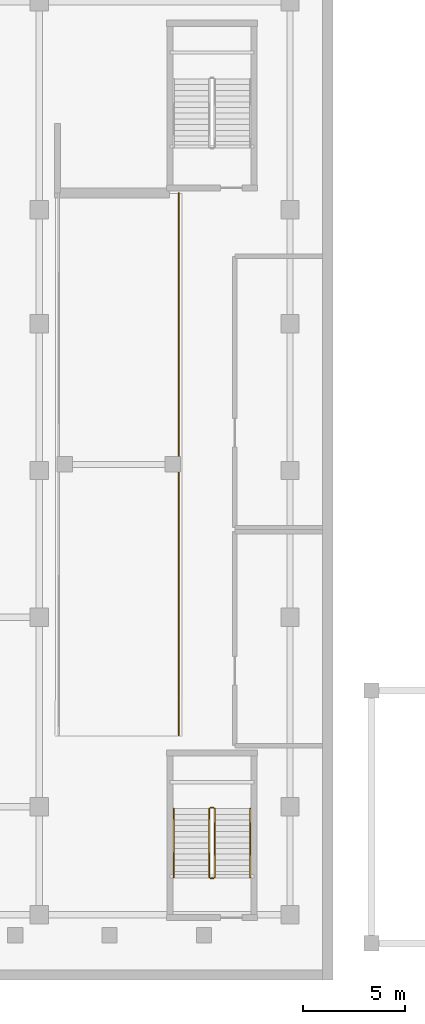
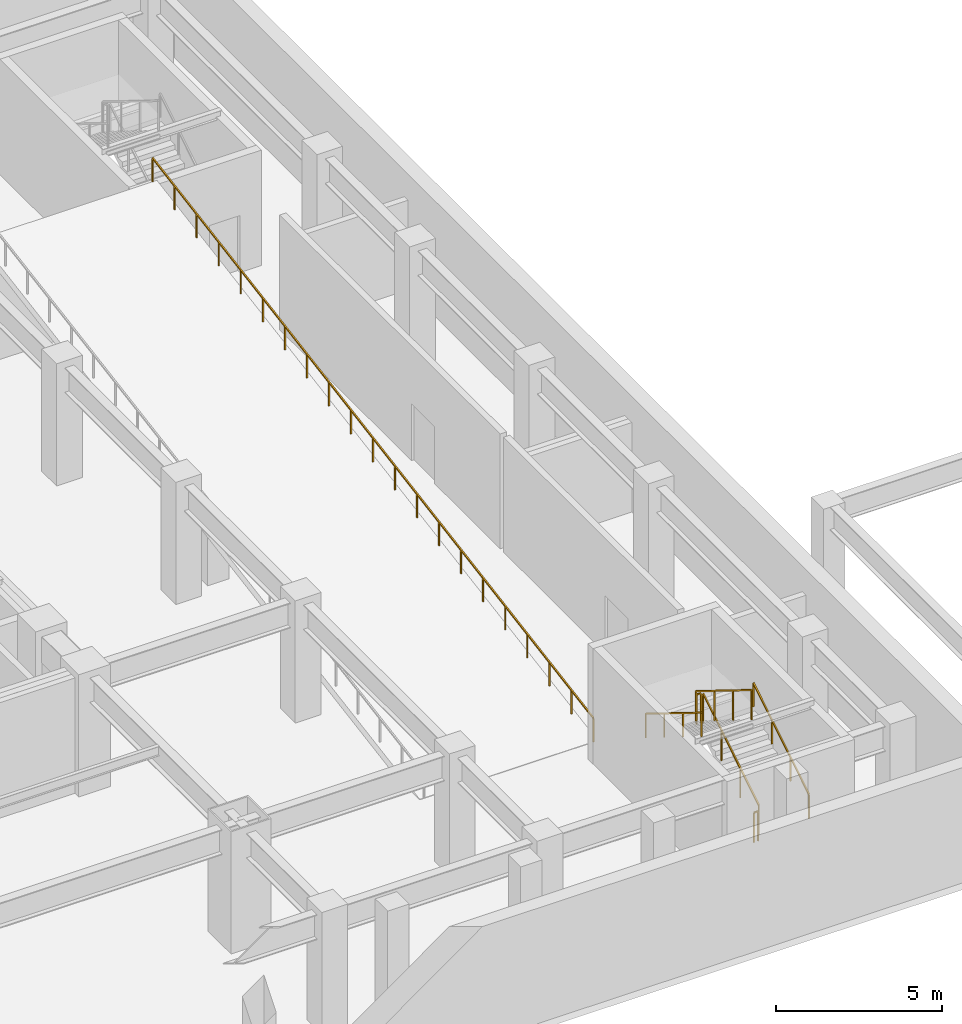
# One storey, part 11 of 12: 7 railings.
"""IFC4 building model written with IfcOpenShell, lengths in metres."""

from ifc_helpers import new_model, si_unit, direction, frame, origin, origin_2d, place, context, subcontext, project, spatial, rectangle, extrude, material, type_object, element, save


model = new_model("IFC4")

# Units and contexts
model_context = context("Model", 3, precision=1e-05, world=origin(), true_north=direction((0.0, 1.0)))
body_context = subcontext(model_context, "Body", "Model", "MODEL_VIEW")
ifc_project = project(units=[si_unit("LENGTHUNIT", "METRE"), si_unit("AREAUNIT", "SQUARE_METRE"), si_unit("VOLUMEUNIT", "CUBIC_METRE"), si_unit("PLANEANGLEUNIT", "RADIAN"), si_unit("MASSUNIT", "GRAM", prefix="KILO")], contexts=[model_context])

# Site, building, storey
site_placement = place(None, origin())
site = spatial("IfcSite", under=ifc_project, at=site_placement, CompositionType="ELEMENT")
building_placement = place(site_placement, origin())
building = spatial("IfcBuilding", under=site, at=building_placement, Name="Vantalir Tower", CompositionType="ELEMENT")
storey_placement = place(building_placement, frame((0.0, 0.0, -4.5)))
storey = spatial("IfcBuildingStorey", under=building, at=storey_placement, Name="B01", CompositionType="ELEMENT", Elevation=-4.5)

# Railings
ifc_material_1 = material(Name="Anodised aluminium and stainless steel guard", Category="steel")
railing_type_1 = type_object("IfcRailingType", Name="RAL-GUARD-1120", PredefinedType="GUARDRAIL", material=ifc_material_1)
railing_1_placement = place(storey_placement, frame((57.199951171875, 5.050048828125, 0.173095703125)))
element("IfcRailing", 1, at=railing_1_placement, inside=storey, type_object=railing_type_1, Name="B01 PST4 stair guard 1", PredefinedType="GUARDRAIL", context=body_context, shape_type="SweptSolid", body=[
    extrude(rectangle(XDim=0.048095703125, YDim=0.048095703125, at=origin_2d()), frame((0.0, 0.0, 1.09619140625), z_axis=(0.0, 0.850606129759, 0.525803396734), x_axis=(-1.0, 0.0, 0.0)), (0.0, 0.0, 1.0), 3.949951171875),
    extrude(rectangle(XDim=0.0419921875, YDim=0.0419921875, at=origin_2d()), origin(), (0.0, 0.0, 1.0), 1.072021484375),
    extrude(rectangle(XDim=0.0419921875, YDim=0.0419921875, at=origin_2d()), frame((0.0, 1.119873046875, 0.6923828125)), (0.0, 0.0, 1.0), 1.072021484375),
    extrude(rectangle(XDim=0.0419921875, YDim=0.0419921875, at=origin_2d()), frame((0.0, 2.239990234375, 1.384521484375)), (0.0, 0.0, 1.0), 1.072021484375),
    extrude(rectangle(XDim=0.0419921875, YDim=0.0419921875, at=origin_2d()), frame((0.0, 3.35986328125, 2.076904296875)), (0.0, 0.0, 1.0), 1.072021484375),
])
railing_2_placement = place(storey_placement, frame((57.14990234375, 8.4599609375, 2.25)))
element("IfcRailing", 2, at=railing_2_placement, inside=storey, type_object=railing_type_1, Name="B01 PST4 stair guard 2", PredefinedType="GUARDRAIL", context=body_context, shape_type="SweptSolid", body=[
    extrude(rectangle(XDim=0.048095703125, YDim=0.048095703125, at=origin_2d()), frame((0.0, 0.0, 1.09619140625), z_axis=(-1.0, 0.0, 0.0), x_axis=(0.0, -1.0, 0.0)), (0.0, 0.0, 1.0), 0.14990234375),
    extrude(rectangle(XDim=0.0419921875, YDim=0.0419921875, at=origin_2d()), origin(), (0.0, 0.0, 1.0), 1.072021484375),
    extrude(rectangle(XDim=0.0419921875, YDim=0.0419921875, at=origin_2d()), frame((-0.14990234375, 0.0, 0.0)), (0.0, 0.0, 1.0), 1.072021484375),
])
railing_3_placement = place(storey_placement, frame((56.949951171875, 8.409912109375, 2.423095703125)))
element("IfcRailing", 3, at=railing_3_placement, inside=storey, type_object=railing_type_1, Name="B01 PST4 stair guard 3", PredefinedType="GUARDRAIL", context=body_context, shape_type="SweptSolid", body=[
    extrude(rectangle(XDim=0.048095703125, YDim=0.048095703125, at=origin_2d()), frame((0.0, 0.0, 1.09619140625), z_axis=(0.0, -0.850606129759, 0.525803396734), x_axis=(1.0, 0.0, 0.0)), (0.0, 0.0, 1.0), 3.949951171875),
    extrude(rectangle(XDim=0.0419921875, YDim=0.0419921875, at=origin_2d()), origin(), (0.0, 0.0, 1.0), 1.072021484375),
    extrude(rectangle(XDim=0.0419921875, YDim=0.0419921875, at=origin_2d()), frame((0.0, -1.119873046875, 0.6923828125)), (0.0, 0.0, 1.0), 1.072021484375),
    extrude(rectangle(XDim=0.0419921875, YDim=0.0419921875, at=origin_2d()), frame((0.0, -2.239990234375, 1.384521484375)), (0.0, 0.0, 1.0), 1.072021484375),
    extrude(rectangle(XDim=0.0419921875, YDim=0.0419921875, at=origin_2d()), frame((0.0, -3.35986328125, 2.076904296875)), (0.0, 0.0, 1.0), 1.072021484375),
])
railing_4_placement = place(storey_placement, frame((57.14990234375, 5.0, 0.0)))
element("IfcRailing", 4, at=railing_4_placement, inside=storey, type_object=railing_type_1, Name="B01 PST4 stair guard 4", PredefinedType="GUARDRAIL", context=body_context, shape_type="SweptSolid", body=[
    extrude(rectangle(XDim=0.048095703125, YDim=0.048095703125, at=origin_2d()), frame((0.0, 0.0, 1.09619140625), z_axis=(-1.0, 0.0, 0.0), x_axis=(0.0, -1.0, 0.0)), (0.0, 0.0, 1.0), 0.14990234375),
    extrude(rectangle(XDim=0.0419921875, YDim=0.0419921875, at=origin_2d()), origin(), (0.0, 0.0, 1.0), 1.072021484375),
    extrude(rectangle(XDim=0.0419921875, YDim=0.0419921875, at=origin_2d()), frame((-0.14990234375, 0.0, 0.0)), (0.0, 0.0, 1.0), 1.072021484375),
])
ifc_material_2 = material(Name="Brushed stainless steel tubular handrail", Category="steel")
railing_type_2 = type_object("IfcRailingType", Name="RAL-HANDRAIL-900", PredefinedType="HANDRAIL", material=ifc_material_2)
railing_5_placement = place(storey_placement, frame((58.949951171875, 5.050048828125, 0.173095703125)))
element("IfcRailing", 5, at=railing_5_placement, inside=storey, type_object=railing_type_2, Name="B01 PST4 stair handrail 1", PredefinedType="HANDRAIL", context=body_context, shape_type="SweptSolid", body=[
    extrude(rectangle(XDim=0.048095703125, YDim=0.048095703125, at=origin_2d()), frame((0.0, 0.0, 0.8759765625), z_axis=(0.0, 0.850606129759, 0.525803396734), x_axis=(-1.0, 0.0, 0.0)), (0.0, 0.0, 1.0), 3.949951171875),
    extrude(rectangle(XDim=0.0419921875, YDim=0.0419921875, at=origin_2d()), origin(), (0.0, 0.0, 1.0), 0.851806640625),
    extrude(rectangle(XDim=0.0419921875, YDim=0.0419921875, at=origin_2d()), frame((0.0, 1.119873046875, 0.6923828125)), (0.0, 0.0, 1.0), 0.851806640625),
    extrude(rectangle(XDim=0.0419921875, YDim=0.0419921875, at=origin_2d()), frame((0.0, 2.239990234375, 1.384521484375)), (0.0, 0.0, 1.0), 0.851806640625),
    extrude(rectangle(XDim=0.0419921875, YDim=0.0419921875, at=origin_2d()), frame((0.0, 3.35986328125, 2.076904296875)), (0.0, 0.0, 1.0), 0.851806640625),
])
railing_6_placement = place(storey_placement, frame((55.199951171875, 8.409912109375, 2.423095703125)))
element("IfcRailing", 6, at=railing_6_placement, inside=storey, type_object=railing_type_2, Name="B01 PST4 stair handrail 2", PredefinedType="HANDRAIL", context=body_context, shape_type="SweptSolid", body=[
    extrude(rectangle(XDim=0.048095703125, YDim=0.048095703125, at=origin_2d()), frame((0.0, 0.0, 0.8759765625), z_axis=(0.0, -0.850606129759, 0.525803396734), x_axis=(1.0, 0.0, 0.0)), (0.0, 0.0, 1.0), 3.949951171875),
    extrude(rectangle(XDim=0.0419921875, YDim=0.0419921875, at=origin_2d()), origin(), (0.0, 0.0, 1.0), 0.851806640625),
    extrude(rectangle(XDim=0.0419921875, YDim=0.0419921875, at=origin_2d()), frame((0.0, -1.119873046875, 0.6923828125)), (0.0, 0.0, 1.0), 0.851806640625),
    extrude(rectangle(XDim=0.0419921875, YDim=0.0419921875, at=origin_2d()), frame((0.0, -2.239990234375, 1.384521484375)), (0.0, 0.0, 1.0), 0.851806640625),
    extrude(rectangle(XDim=0.0419921875, YDim=0.0419921875, at=origin_2d()), frame((0.0, -3.35986328125, 2.076904296875)), (0.0, 0.0, 1.0), 0.851806640625),
])
railing_7_placement = place(storey_placement, frame((55.449951171875, 12.0009765625, 0.0)))
element("IfcRailing", 7, at=railing_7_placement, inside=storey, type_object=railing_type_2, Name="Car Park Vehicle Ramp Slab VR-1 B01 to L00 Kerb Rail E", PredefinedType="HANDRAIL", context=body_context, shape_type="SweptSolid", body=[
    extrude(rectangle(XDim=0.048095703125, YDim=0.048095703125, at=origin_2d()), frame((0.0, 0.0, 0.8759765625), z_axis=(0.0, 0.985988352071, 0.166814176797), x_axis=(-1.0, 0.0, 0.0)), (0.0, 0.0, 1.0), 26.97607421875),
    extrude(rectangle(XDim=0.0419921875, YDim=0.0419921875, at=origin_2d()), origin(), (0.0, 0.0, 1.0), 0.851806640625),
    extrude(rectangle(XDim=0.0419921875, YDim=0.0419921875, at=origin_2d()), frame((0.0, 1.329833984375, 0.22509765625)), (0.0, 0.0, 1.0), 0.851806640625),
    extrude(rectangle(XDim=0.0419921875, YDim=0.0419921875, at=origin_2d()), frame((0.0, 2.659912109375, 0.449951171875)), (0.0, 0.0, 1.0), 0.851806640625),
    extrude(rectangle(XDim=0.0419921875, YDim=0.0419921875, at=origin_2d()), frame((0.0, 3.98974609375, 0.675048828125)), (0.0, 0.0, 1.0), 0.851806640625),
    extrude(rectangle(XDim=0.0419921875, YDim=0.0419921875, at=origin_2d()), frame((0.0, 5.319580078125, 0.89990234375)), (0.0, 0.0, 1.0), 0.851806640625),
    extrude(rectangle(XDim=0.0419921875, YDim=0.0419921875, at=origin_2d()), frame((0.0, 6.6494140625, 1.125)), (0.0, 0.0, 1.0), 0.851806640625),
    extrude(rectangle(XDim=0.0419921875, YDim=0.0419921875, at=origin_2d()), frame((0.0, 7.9794921875, 1.35009765625)), (0.0, 0.0, 1.0), 0.851806640625),
    extrude(rectangle(XDim=0.0419921875, YDim=0.0419921875, at=origin_2d()), frame((0.0, 9.309326171875, 1.574951171875)), (0.0, 0.0, 1.0), 0.851806640625),
    extrude(rectangle(XDim=0.0419921875, YDim=0.0419921875, at=origin_2d()), frame((0.0, 10.63916015625, 1.800048828125)), (0.0, 0.0, 1.0), 0.851806640625),
    extrude(rectangle(XDim=0.0419921875, YDim=0.0419921875, at=origin_2d()), frame((0.0, 11.96923828125, 2.02490234375)), (0.0, 0.0, 1.0), 0.851806640625),
    extrude(rectangle(XDim=0.0419921875, YDim=0.0419921875, at=origin_2d()), frame((0.0, 13.299072265625, 2.25)), (0.0, 0.0, 1.0), 0.851806640625),
    extrude(rectangle(XDim=0.0419921875, YDim=0.0419921875, at=origin_2d()), frame((0.0, 14.62890625, 2.47509765625)), (0.0, 0.0, 1.0), 0.851806640625),
    extrude(rectangle(XDim=0.0419921875, YDim=0.0419921875, at=origin_2d()), frame((0.0, 15.958984375, 2.699951171875)), (0.0, 0.0, 1.0), 0.851806640625),
    extrude(rectangle(XDim=0.0419921875, YDim=0.0419921875, at=origin_2d()), frame((0.0, 17.288818359375, 2.925048828125)), (0.0, 0.0, 1.0), 0.851806640625),
    extrude(rectangle(XDim=0.0419921875, YDim=0.0419921875, at=origin_2d()), frame((0.0, 18.61865234375, 3.14990234375)), (0.0, 0.0, 1.0), 0.851806640625),
    extrude(rectangle(XDim=0.0419921875, YDim=0.0419921875, at=origin_2d()), frame((0.0, 19.94873046875, 3.375)), (0.0, 0.0, 1.0), 0.851806640625),
    extrude(rectangle(XDim=0.0419921875, YDim=0.0419921875, at=origin_2d()), frame((0.0, 21.278564453125, 3.60009765625)), (0.0, 0.0, 1.0), 0.851806640625),
    extrude(rectangle(XDim=0.0419921875, YDim=0.0419921875, at=origin_2d()), frame((0.0, 22.6083984375, 3.824951171875)), (0.0, 0.0, 1.0), 0.851806640625),
    extrude(rectangle(XDim=0.0419921875, YDim=0.0419921875, at=origin_2d()), frame((0.0, 23.938232421875, 4.050048828125)), (0.0, 0.0, 1.0), 0.851806640625),
    extrude(rectangle(XDim=0.0419921875, YDim=0.0419921875, at=origin_2d()), frame((0.0, 25.268310546875, 4.27490234375)), (0.0, 0.0, 1.0), 0.851806640625),
    extrude(rectangle(XDim=0.0419921875, YDim=0.0419921875, at=origin_2d()), frame((0.0, 26.59814453125, 4.5)), (0.0, 0.0, 1.0), 0.851806640625),
])

save(model, "model.ifc")
